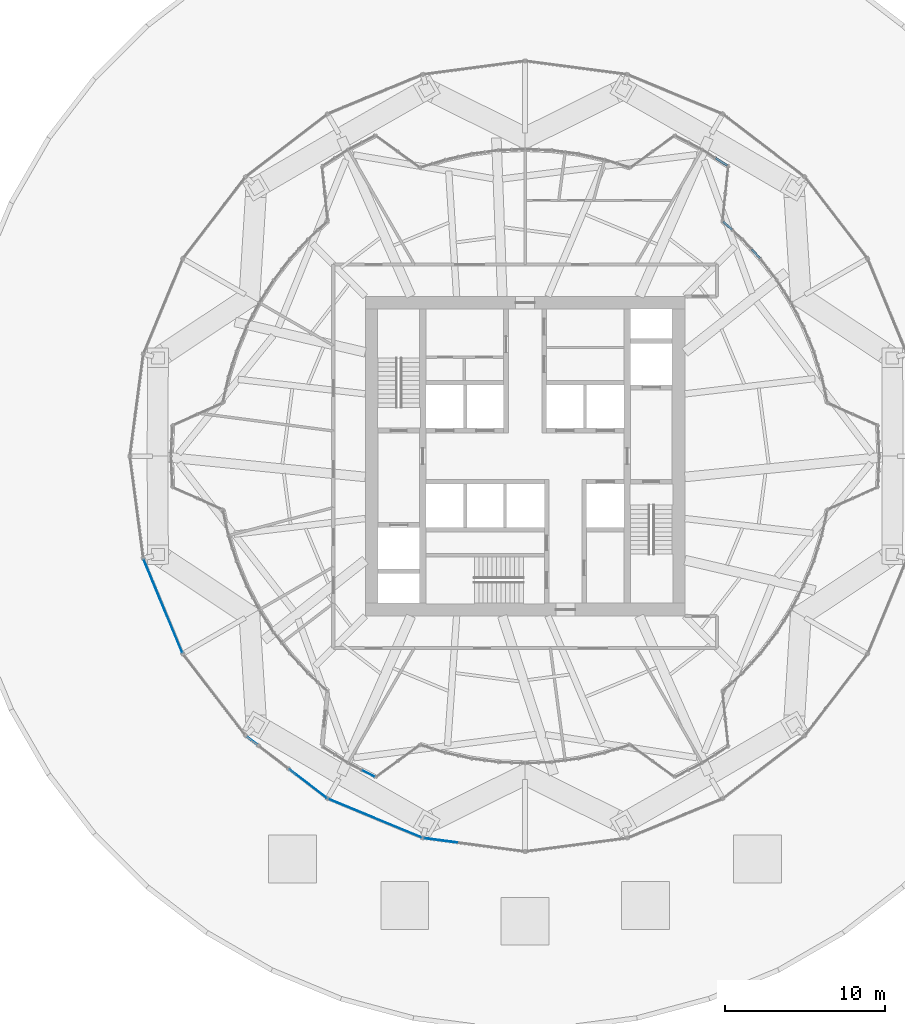
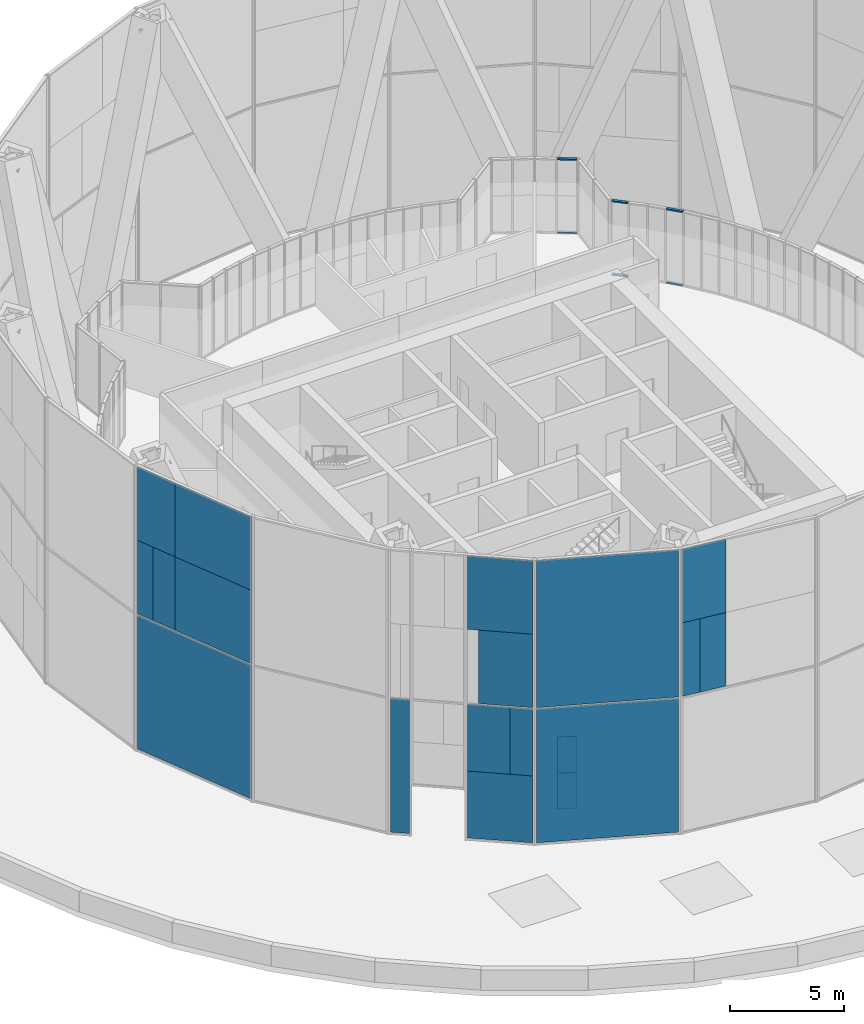
# One storey, part 15 of 27: 19 plates, 6 members, 9 elements without a shape of their own.
"""IFC4 building model written with IfcOpenShell, lengths in metres."""

from ifc_helpers import new_model, si_unit, direction, frame, origin, origin_2d, place, context, subcontext, project, spatial, rectangle, extrude, material, layer, layer_set, material_profile, profile_set, type_object, element, aggregate, save


model = new_model("IFC4")

# Units and contexts
model_context = context("Model", 3, precision=1e-05, world=origin(), true_north=direction((0.0, 1.0)))
body_context = subcontext(model_context, "Body", "Model", "MODEL_VIEW")
ifc_project = project(units=[si_unit("LENGTHUNIT", "METRE"), si_unit("AREAUNIT", "SQUARE_METRE"), si_unit("VOLUMEUNIT", "CUBIC_METRE"), si_unit("PLANEANGLEUNIT", "RADIAN"), si_unit("MASSUNIT", "GRAM", prefix="KILO")], contexts=[model_context])

# Site, building, storey
site_placement = place(None, origin())
site = spatial("IfcSite", under=ifc_project, at=site_placement, CompositionType="ELEMENT")
building_placement = place(site_placement, origin())
building = spatial("IfcBuilding", under=site, at=building_placement, Name="Golbaran Civic Tower", CompositionType="ELEMENT")
storey_placement = place(building_placement, frame((0.0, 0.0, 21.0)))
storey = spatial("IfcBuildingStorey", under=building, at=storey_placement, Name="L04", CompositionType="ELEMENT", Elevation=21.0)

# Curtain wall, members
ifc_material_1 = material(Name="Aluminium and glass", Category="aluminium")
curtain_wall_type_1 = type_object("IfcCurtainWallType", Name="INNER SKIN CURTAIN WALL", PredefinedType="NOTDEFINED", material=ifc_material_1)
curtain_wall_1_placement = place(storey_placement, origin())
curtain_wall_1 = element("IfcCurtainWall", 1, at=curtain_wall_1_placement, inside=storey, type_object=curtain_wall_type_1, Name="Inner skin L04 facet 9 CW1", ObjectType="INNER SKIN", PredefinedType="USERDEFINED")
ifc_material_2 = material(Name="Aluminium", Category="aluminium")
ifc_material_profile = material_profile(ifc_material_2, rectangle(XDim=0.139892578125, YDim=0.06494140625, at=origin_2d()), Name="INNER SKIN CURTAIN WALL TRANSOM")
ifc_profile_set = profile_set([ifc_material_profile], Name="Aluminium")
member_type = type_object("IfcMemberType", Name="INNER SKIN CURTAIN WALL TRANSOM", PredefinedType="USERDEFINED", material=ifc_profile_set)
member_1_placement = place(storey_placement, frame((14.697509765625, 12.375244140625, 0.032470703125), z_axis=(-0.67563880356, 0.737232803885, 0.0), x_axis=(-0.737232803885, -0.67563880356, 0.0)))
member_1 = element("IfcMember", 2, at=member_1_placement, type_object=member_type, Name="CW1 transom 1.1", ObjectType="TRANSOM", PredefinedType="USERDEFINED", context=body_context, shape_type="SweptSolid", body=[
    extrude(rectangle(XDim=0.139892578125, YDim=0.06494140625, at=origin_2d()), origin(), (0.0, 0.0, 1.0), 0.77294921875),
])
member_2_placement = place(storey_placement, frame((14.697509765625, 12.375244140625, 3.967529296875), z_axis=(-0.67563880356, 0.737232803885, 0.0), x_axis=(-0.737232803885, -0.67563880356, 0.0)))
member_2 = element("IfcMember", 3, at=member_2_placement, type_object=member_type, Name="CW1 transom 1.2", ObjectType="TRANSOM", PredefinedType="USERDEFINED", context=body_context, shape_type="SweptSolid", body=[
    extrude(rectangle(XDim=0.139892578125, YDim=0.06494140625, at=origin_2d()), origin(), (0.0, 0.0, 1.0), 0.77294921875),
])
aggregate(curtain_wall_1, [member_1, member_2])

curtain_wall_2_placement = place(storey_placement, origin())
curtain_wall_2 = element("IfcCurtainWall", 4, at=curtain_wall_2_placement, inside=storey, type_object=curtain_wall_type_1, Name="Inner skin L04 facet 10 CW1", ObjectType="INNER SKIN", PredefinedType="USERDEFINED")
member_3_placement = place(storey_placement, frame((12.945068359375, 14.17529296875, 0.032470703125), z_axis=(-0.737263623889, 0.675605172338, 0.0), x_axis=(-0.675605172338, -0.737263623889, 0.0)))
member_3 = element("IfcMember", 5, at=member_3_placement, type_object=member_type, Name="CW1 transom 2.1", ObjectType="TRANSOM", PredefinedType="USERDEFINED", context=body_context, shape_type="SweptSolid", body=[
    extrude(rectangle(XDim=0.139892578125, YDim=0.06494140625, at=origin_2d()), origin(), (0.0, 0.0, 1.0), 0.740478515625),
])
member_4_placement = place(storey_placement, frame((12.945068359375, 14.17529296875, 3.967529296875), z_axis=(-0.737263623889, 0.675605172338, 0.0), x_axis=(-0.675605172338, -0.737263623889, 0.0)))
member_4 = element("IfcMember", 6, at=member_4_placement, type_object=member_type, Name="CW1 transom 2.2", ObjectType="TRANSOM", PredefinedType="USERDEFINED", context=body_context, shape_type="SweptSolid", body=[
    extrude(rectangle(XDim=0.139892578125, YDim=0.06494140625, at=origin_2d()), origin(), (0.0, 0.0, 1.0), 0.740478515625),
])
aggregate(curtain_wall_2, [member_3, member_4])

curtain_wall_3_placement = place(storey_placement, origin())
curtain_wall_3 = element("IfcCurtainWall", 7, at=curtain_wall_3_placement, inside=storey, type_object=curtain_wall_type_1, Name="Inner skin L04 facet 12 CW1", ObjectType="INNER SKIN", PredefinedType="USERDEFINED")
member_5_placement = place(storey_placement, frame((12.655517578125, 18.187255859375, 0.032470703125), z_axis=(-0.843325869914, 0.53740252803, 0.0), x_axis=(-0.53740252803, -0.843325869914, 0.0)))
member_5 = element("IfcMember", 8, at=member_5_placement, type_object=member_type, Name="CW1 transom 1.1", ObjectType="TRANSOM", PredefinedType="USERDEFINED", context=body_context, shape_type="SweptSolid", body=[
    extrude(rectangle(XDim=0.139892578125, YDim=0.06494140625, at=origin_2d()), origin(), (0.0, 0.0, 1.0), 0.869140625),
])
member_6_placement = place(storey_placement, frame((12.655517578125, 18.187255859375, 3.967529296875), z_axis=(-0.843325869914, 0.53740252803, 0.0), x_axis=(-0.53740252803, -0.843325869914, 0.0)))
member_6 = element("IfcMember", 9, at=member_6_placement, type_object=member_type, Name="CW1 transom 1.2", ObjectType="TRANSOM", PredefinedType="USERDEFINED", context=body_context, shape_type="SweptSolid", body=[
    extrude(rectangle(XDim=0.139892578125, YDim=0.06494140625, at=origin_2d()), origin(), (0.0, 0.0, 1.0), 0.869140625),
])
aggregate(curtain_wall_3, [member_5, member_6])

# Curtain wall, plates
curtain_wall_4_placement = place(storey_placement, origin())
curtain_wall_4 = element("IfcCurtainWall", 10, at=curtain_wall_4_placement, inside=storey, type_object=curtain_wall_type_1, Name="Inner skin L04 facet 49 CW1", ObjectType="INNER SKIN", PredefinedType="USERDEFINED")
ifc_material_3 = material(Name="Aluminium faced opaque infill panel", Category="aluminium")
ifc_layer_1 = layer(ifc_material_3, 0.031982421875, Name="Aluminium faced opaque infill panel")
ifc_layer_set_1 = layer_set([ifc_layer_1], Name="Aluminium faced opaque infill panel")
plate_type_1 = type_object("IfcPlateType", Name="INNER SKIN CURTAIN WALL OPAQUE INFILL PANEL", PredefinedType="CURTAIN_PANEL", material=ifc_layer_set_1)
plate_1_placement = place(storey_placement, frame((-9.808349609375, -19.85302734375, 0.06494140625), z_axis=(0.0, 0.0, 1.0), x_axis=(0.88701083317, -0.461748613251, 0.0)))
plate_1 = element("IfcPlate", 11, at=plate_1_placement, type_object=plate_type_1, Name="CW1 infill panel 2.1 part 1", PredefinedType="CURTAIN_PANEL", context=body_context, shape_type="SweptSolid", body=[
    extrude(rectangle(XDim=0.869140625, YDim=0.031982421875, at=origin_2d()), origin(), (0.0, 0.0, 1.0), 1.93505859375),
])
plate_2_placement = place(storey_placement, frame((-9.808349609375, -19.85302734375, 2.0), z_axis=(0.0, 0.0, 1.0), x_axis=(0.88701083317, -0.461748613251, 0.0)))
plate_2 = element("IfcPlate", 12, at=plate_2_placement, type_object=plate_type_1, Name="CW1 infill panel 2.1 part 2", PredefinedType="CURTAIN_PANEL", context=body_context, shape_type="SweptSolid", body=[
    extrude(rectangle(XDim=0.869140625, YDim=0.031982421875, at=origin_2d()), origin(), (0.0, 0.0, 1.0), 1.93505859375),
])
aggregate(curtain_wall_4, [plate_1, plate_2])

curtain_wall_type_2 = type_object("IfcCurtainWallType", Name="OUTER SKIN TERRACOTTA SCREEN", PredefinedType="NOTDEFINED", material=ifc_material_1)
curtain_wall_5_placement = place(storey_placement, origin())
curtain_wall_5 = element("IfcCurtainWall", 13, at=curtain_wall_5_placement, inside=storey, type_object=curtain_wall_type_2, Name="Outer skin L04 facet 14 CW3", ObjectType="OUTER SKIN", PredefinedType="USERDEFINED")
ifc_material_4 = material(Name="Clear laminated glass", Category="glass")
ifc_layer_2 = layer(ifc_material_4, 0.0400390625, Name="Clear laminated glass")
ifc_layer_set_2 = layer_set([ifc_layer_2], Name="Clear laminated glass")
plate_type_2 = type_object("IfcPlateType", Name="OUTER SKIN CLEAR GLASS PANEL", PredefinedType="CURTAIN_PANEL", material=ifc_layer_set_2)
plate_3_placement = place(storey_placement, frame((-22.65673828125, -9.384765625, 0.080078125), z_axis=(0.0, 0.0, 1.0), x_axis=(0.382683432301, -0.923879532538, 0.0)))
plate_3 = element("IfcPlate", 14, at=plate_3_placement, type_object=plate_type_2, Name="CW3 panel 1.1", PredefinedType="CURTAIN_PANEL", context=body_context, shape_type="SweptSolid", body=[
    extrude(rectangle(XDim=6.297119140625, YDim=0.0400390625, at=origin_2d()), origin(), (0.0, 0.0, 1.0), 7.169921875),
])
plate_4_placement = place(storey_placement, frame((-23.697509765625, -6.87158203125, 7.330078125), z_axis=(0.0, 0.0, 1.0), x_axis=(0.382683432301, -0.923879532538, 0.0)))
plate_4 = element("IfcPlate", 15, at=plate_4_placement, type_object=plate_type_2, Name="CW3 panel 1.2 part 1", PredefinedType="CURTAIN_PANEL", context=body_context, shape_type="SweptSolid", body=[
    extrude(rectangle(XDim=0.85693359375, YDim=0.0400390625, at=origin_2d()), origin(), (0.0, 0.0, 1.0), 3.93994140625),
])
plate_5_placement = place(storey_placement, frame((-22.258544921875, -10.345458984375, 7.330078125), z_axis=(0.0, 0.0, 1.0), x_axis=(0.382683432301, -0.923879532538, 0.0)))
plate_5 = element("IfcPlate", 16, at=plate_5_placement, type_object=plate_type_2, Name="CW3 panel 1.2 part 3", PredefinedType="CURTAIN_PANEL", context=body_context, shape_type="SweptSolid", body=[
    extrude(rectangle(XDim=4.217041015625, YDim=0.0400390625, at=origin_2d()), origin(), (0.0, 0.0, 1.0), 3.93994140625),
])
plate_6_placement = place(storey_placement, frame((-22.258544921875, -10.345458984375, 11.27001953125), z_axis=(0.0, 0.0, 1.0), x_axis=(0.382683432301, -0.923879532538, 0.0)))
plate_6 = element("IfcPlate", 17, at=plate_6_placement, type_object=plate_type_2, Name="CW3 panel 1.2 part 5", PredefinedType="CURTAIN_PANEL", context=body_context, shape_type="SweptSolid", body=[
    extrude(rectangle(XDim=4.217041015625, YDim=0.0400390625, at=origin_2d()), origin(), (0.0, 0.0, 1.0), 3.93994140625),
])

# Curtain wall, plate
curtain_wall_6_placement = place(storey_placement, origin())
curtain_wall_6 = element("IfcCurtainWall", 18, at=curtain_wall_6_placement, inside=storey, type_object=curtain_wall_type_2, Name="Outer skin L04 facet 16 left of the opening CW3", ObjectType="OUTER SKIN", PredefinedType="USERDEFINED")
plate_7_placement = place(storey_placement, frame((-17.093505859375, -17.794677734375, 0.080078125), z_axis=(0.0, 0.0, 1.0), x_axis=(0.793353340557, -0.608761428663, 0.0)))
plate_7 = element("IfcPlate", 19, at=plate_7_placement, type_object=plate_type_2, Name="CW3 panel 1.1", PredefinedType="CURTAIN_PANEL", context=body_context, shape_type="SweptSolid", body=[
    extrude(rectangle(XDim=0.840087890625, YDim=0.0400390625, at=origin_2d()), origin(), (0.0, 0.0, 1.0), 7.169921875),
])
aggregate(curtain_wall_6, [plate_7])

# Curtain wall, plates
curtain_wall_7_placement = place(storey_placement, origin())
curtain_wall_7 = element("IfcCurtainWall", 20, at=curtain_wall_7_placement, inside=storey, type_object=curtain_wall_type_2, Name="Outer skin L04 facet 16 right of the opening CW3", ObjectType="OUTER SKIN", PredefinedType="USERDEFINED")
plate_8_placement = place(storey_placement, frame((-12.828857421875, -21.067138671875, 3.6650390625), z_axis=(0.0, 0.0, 1.0), x_axis=(0.793353340227, -0.608761429092, 0.0)))
plate_8 = element("IfcPlate", 21, at=plate_8_placement, type_object=plate_type_2, Name="CW3 panel 1.1 part 3", PredefinedType="CURTAIN_PANEL", context=body_context, shape_type="SweptSolid", body=[
    extrude(rectangle(XDim=1.003173828125, YDim=0.0400390625, at=origin_2d()), origin(), (0.0, 0.0, 1.0), 3.5849609375),
])
plate_9_placement = place(storey_placement, frame((-13.383544921875, -20.6416015625, 7.330078125), z_axis=(0.0, 0.0, 1.0), x_axis=(0.793353340227, -0.608761429092, 0.0)))
plate_9 = element("IfcPlate", 22, at=plate_9_placement, type_object=plate_type_2, Name="CW3 panel 1.2 part 2", PredefinedType="CURTAIN_PANEL", context=body_context, shape_type="SweptSolid", body=[
    extrude(rectangle(XDim=2.401123046875, YDim=0.0400390625, at=origin_2d()), origin(), (0.0, 0.0, 1.0), 3.93994140625),
])
plate_10_placement = place(storey_placement, frame((-13.580078125, -20.49072265625, 11.27001953125), z_axis=(0.0, 0.0, 1.0), x_axis=(0.793353340227, -0.608761429092, 0.0)))
plate_10 = element("IfcPlate", 23, at=plate_10_placement, type_object=plate_type_2, Name="CW3 panel 1.2 part 3", PredefinedType="CURTAIN_PANEL", context=body_context, shape_type="SweptSolid", body=[
    extrude(rectangle(XDim=2.897216796875, YDim=0.0400390625, at=origin_2d()), origin(), (0.0, 0.0, 1.0), 3.93994140625),
])

# Curtain wall, plate
curtain_wall_8_placement = place(storey_placement, origin())
curtain_wall_8 = element("IfcCurtainWall", 24, at=curtain_wall_8_placement, inside=storey, type_object=curtain_wall_type_2, Name="Outer skin L04 facet 18 CW3", ObjectType="OUTER SKIN", PredefinedType="USERDEFINED")
plate_11_placement = place(storey_placement, frame((-5.897705078125, -23.95849609375, 7.330078125), z_axis=(0.0, 0.0, 1.0), x_axis=(0.991444861369, -0.130526192255, 0.0)))
plate_11 = element("IfcPlate", 25, at=plate_11_placement, type_object=plate_type_2, Name="CW3 panel 1.2 part 1", PredefinedType="CURTAIN_PANEL", context=body_context, shape_type="SweptSolid", body=[
    extrude(rectangle(XDim=0.85693359375, YDim=0.0400390625, at=origin_2d()), origin(), (0.0, 0.0, 1.0), 3.93994140625),
])

# Plate
ifc_material_5 = material(Name="Terracotta baguette screen", Category="masonry")
ifc_layer_3 = layer(ifc_material_5, 0.0400390625, Name="Terracotta baguette screen")
ifc_layer_set_3 = layer_set([ifc_layer_3], Name="Terracotta baguette screen")
plate_type_3 = type_object("IfcPlateType", Name="OUTER SKIN TERRACOTTA INFILL PANEL", PredefinedType="CURTAIN_PANEL", material=ifc_layer_set_3)
plate_12_placement = place(storey_placement, frame((-23.299560546875, -7.83251953125, 7.330078125), z_axis=(0.0, 0.0, 1.0), x_axis=(0.382683432301, -0.923879532538, 0.0)))
plate_12 = element("IfcPlate", 26, at=plate_12_placement, type_object=plate_type_3, Name="CW3 infill panel 1.2 part 2", PredefinedType="CURTAIN_PANEL", context=body_context, shape_type="SweptSolid", body=[
    extrude(rectangle(XDim=1.222900390625, YDim=0.0400390625, at=origin_2d()), origin(), (0.0, 0.0, 1.0), 3.93994140625),
])

plate_13_placement = place(storey_placement, frame((-23.463623046875, -7.4365234375, 11.27001953125), z_axis=(0.0, 0.0, 1.0), x_axis=(0.382683432301, -0.923879532538, 0.0)))
plate_13 = element("IfcPlate", 27, at=plate_13_placement, type_object=plate_type_3, Name="CW3 infill panel 1.2 part 4", PredefinedType="CURTAIN_PANEL", context=body_context, shape_type="SweptSolid", body=[
    extrude(rectangle(XDim=2.080078125, YDim=0.0400390625, at=origin_2d()), origin(), (0.0, 0.0, 1.0), 3.93994140625),
])

aggregate(curtain_wall_5, [plate_3, plate_4, plate_12, plate_5, plate_13, plate_6])

plate_14_placement = place(storey_placement, frame((-13.580078125, -20.49072265625, 0.080078125), z_axis=(0.0, 0.0, 1.0), x_axis=(0.793353340227, -0.608761429092, 0.0)))
plate_14 = element("IfcPlate", 28, at=plate_14_placement, type_object=plate_type_3, Name="CW3 infill panel 1.1 part 1", PredefinedType="CURTAIN_PANEL", context=body_context, shape_type="SweptSolid", body=[
    extrude(rectangle(XDim=2.897216796875, YDim=0.0400390625, at=origin_2d()), origin(), (0.0, 0.0, 1.0), 3.5849609375),
])

plate_15_placement = place(storey_placement, frame((-13.97802734375, -20.185302734375, 3.6650390625), z_axis=(0.0, 0.0, 1.0), x_axis=(0.793353340227, -0.608761429092, 0.0)))
plate_15 = element("IfcPlate", 29, at=plate_15_placement, type_object=plate_type_3, Name="CW3 infill panel 1.1 part 2", PredefinedType="CURTAIN_PANEL", context=body_context, shape_type="SweptSolid", body=[
    extrude(rectangle(XDim=1.89404296875, YDim=0.0400390625, at=origin_2d()), origin(), (0.0, 0.0, 1.0), 3.5849609375),
])

aggregate(curtain_wall_7, [plate_14, plate_15, plate_8, plate_9, plate_10])

plate_16_placement = place(storey_placement, frame((-4.86669921875, -24.09423828125, 7.330078125), z_axis=(0.0, 0.0, 1.0), x_axis=(0.991444861369, -0.130526192255, 0.0)))
plate_16 = element("IfcPlate", 30, at=plate_16_placement, type_object=plate_type_3, Name="CW3 infill panel 1.2 part 2", PredefinedType="CURTAIN_PANEL", context=body_context, shape_type="SweptSolid", body=[
    extrude(rectangle(XDim=1.222900390625, YDim=0.0400390625, at=origin_2d()), origin(), (0.0, 0.0, 1.0), 3.93994140625),
])

plate_17_placement = place(storey_placement, frame((-5.29150390625, -24.038330078125, 11.27001953125), z_axis=(0.0, 0.0, 1.0), x_axis=(0.991444861369, -0.130526192255, 0.0)))
plate_17 = element("IfcPlate", 31, at=plate_17_placement, type_object=plate_type_3, Name="CW3 infill panel 1.2 part 4", PredefinedType="CURTAIN_PANEL", context=body_context, shape_type="SweptSolid", body=[
    extrude(rectangle(XDim=2.080078125, YDim=0.0400390625, at=origin_2d()), origin(), (0.0, 0.0, 1.0), 3.93994140625),
])

aggregate(curtain_wall_8, [plate_11, plate_16, plate_17])

# Curtain wall, plates
curtain_wall_9_placement = place(storey_placement, origin())
curtain_wall_9 = element("IfcCurtainWall", 32, at=curtain_wall_9_placement, inside=storey, type_object=curtain_wall_type_2, Name="Outer skin L04 facet 17 CW3", ObjectType="OUTER SKIN", PredefinedType="USERDEFINED")
ifc_layer_4 = layer(ifc_material_5, 0.0400390625, Name="Terracotta baguette screen")
ifc_layer_set_4 = layer_set([ifc_layer_4], Name="Terracotta baguette screen")
plate_type_4 = type_object("IfcPlateType", Name="OUTER SKIN TERRACOTTA SCREEN PANEL", PredefinedType="CURTAIN_PANEL", material=ifc_layer_set_4)
plate_18_placement = place(storey_placement, frame((-9.384765625, -22.65673828125, 0.080078125), z_axis=(0.0, 0.0, 1.0), x_axis=(0.923879532538, -0.382683432301, 0.0)))
plate_18 = element("IfcPlate", 33, at=plate_18_placement, type_object=plate_type_4, Name="CW3 terracotta screen panel 1.1", PredefinedType="CURTAIN_PANEL", context=body_context, shape_type="SweptSolid", body=[
    extrude(rectangle(XDim=6.297119140625, YDim=0.0400390625, at=origin_2d()), origin(), (0.0, 0.0, 1.0), 7.169921875),
])
plate_19_placement = place(storey_placement, frame((-9.384765625, -22.65673828125, 7.330078125), z_axis=(0.0, 0.0, 1.0), x_axis=(0.923879532538, -0.382683432301, 0.0)))
plate_19 = element("IfcPlate", 34, at=plate_19_placement, type_object=plate_type_4, Name="CW3 terracotta screen panel 1.2", PredefinedType="CURTAIN_PANEL", context=body_context, shape_type="SweptSolid", body=[
    extrude(rectangle(XDim=6.297119140625, YDim=0.0400390625, at=origin_2d()), origin(), (0.0, 0.0, 1.0), 7.8798828125),
])
aggregate(curtain_wall_9, [plate_18, plate_19])

save(model, "model.ifc")
